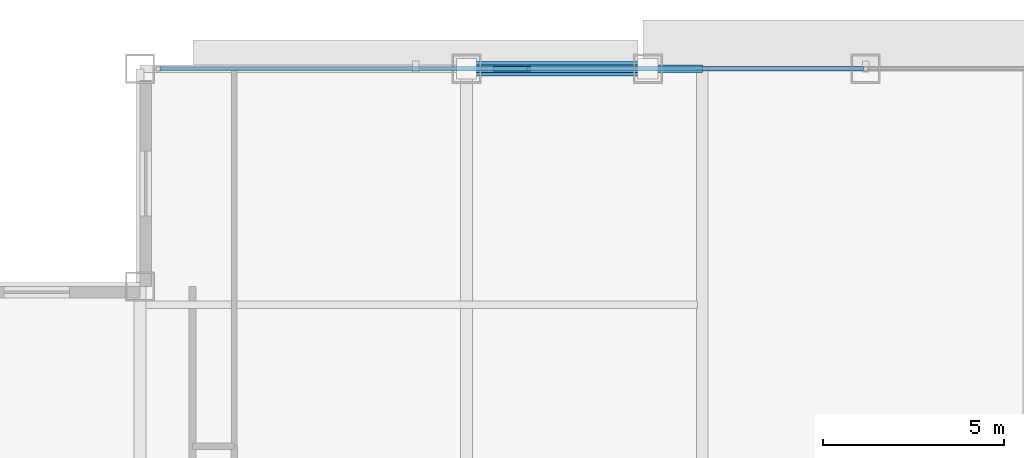
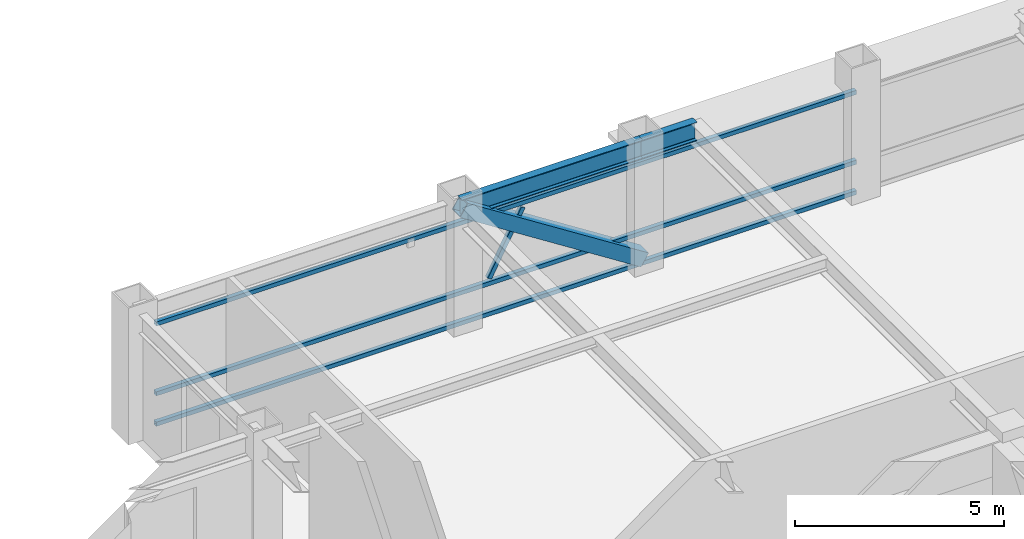
# One storey, part 17 of 32: 5 members, 2 beams, 1 element without a shape of its own.
"""IFC4 building model written with IfcOpenShell, lengths in metres."""

from ifc_helpers import new_model, si_unit, direction, frame, origin, origin_2d, place, context, subcontext, project, spatial, hollow_rectangle, i_section, extrude, source, transform, mapped, material, material_profile, profile_set, type_object, element, aggregate, save


model = new_model("IFC4")

# Units and contexts
model_context = context("Model", 3, precision=1e-05, world=origin(), true_north=direction((0.0, 1.0)))
body_context = subcontext(model_context, "Body", "Model", "MODEL_VIEW")
ifc_project = project(units=[si_unit("LENGTHUNIT", "METRE"), si_unit("AREAUNIT", "SQUARE_METRE"), si_unit("VOLUMEUNIT", "CUBIC_METRE"), si_unit("PLANEANGLEUNIT", "RADIAN"), si_unit("MASSUNIT", "GRAM", prefix="KILO")], contexts=[model_context])

# Site, building, storey
site_placement = place(None, origin())
site = spatial("IfcSite", under=ifc_project, at=site_placement, CompositionType="ELEMENT")
building_placement = place(site_placement, origin())
building = spatial("IfcBuilding", under=site, at=building_placement, Name="Khorayat Bourse Tower", CompositionType="ELEMENT")
storey_placement = place(building_placement, frame((0.0, 0.0, 342.300048828125)))
storey = spatial("IfcBuildingStorey", under=building, at=storey_placement, Name="L81", CompositionType="ELEMENT", Elevation=342.300048828125)

# Beams
ifc_material_1 = material(Name="Steel ASTM A992 Grade 50", Category="steel")
ifc_material_profile_1 = material_profile(ifc_material_1, i_section(OverallWidth=0.214111328125, OverallDepth=0.549072265625, WebThickness=0.0146484375, FlangeThickness=0.023681640625, FilletRadius=0.013916015625, at=origin_2d()), Name="W530X138")
ifc_profile_set_1 = profile_set([ifc_material_profile_1], Name="Steel ASTM A992 Grade 50")
beam_type = type_object("IfcBeamType", Name="BM-SPAN-530", PredefinedType="SPANDREL", material=ifc_profile_set_1)
shared_shape_1 = source(origin(), body_context, "Body", "SweptSolid", [
    extrude(i_section(OverallWidth=0.214111328125, OverallDepth=0.549072265625, WebThickness=0.0146484375, FlangeThickness=0.023681640625, FilletRadius=0.013916015625, at=origin_2d()), origin(), (0.0, 0.0, 1.0), 5.0),
])
beam_1_placement = place(storey_placement, frame((-11.0, 26.0, 3.425537109375), z_axis=(1.0, 0.0, 0.0), x_axis=(0.0, 1.0, 0.0)))
element("IfcBeam", 1, at=beam_1_placement, inside=storey, type_object=beam_type, Name="L81 BM-SPAN-530 BM-L81-SPN-041", PredefinedType="SPANDREL", context=body_context, shape_type="MappedRepresentation", body=[
    mapped(shared_shape_1, transform((0.0, 0.0, 0.0), scale=1.0)),
])
shared_shape_2 = source(origin(), body_context, "Body", "SweptSolid", [
    extrude(i_section(OverallWidth=0.214111328125, OverallDepth=0.549072265625, WebThickness=0.0146484375, FlangeThickness=0.023681640625, FilletRadius=0.013916015625, at=origin_2d()), origin(), (0.0, 0.0, 1.0), 1.5),
])
beam_2_placement = place(storey_placement, frame((-6.0, 26.0, 3.425537109375), z_axis=(1.0, 0.0, 0.0), x_axis=(0.0, 1.0, 0.0)))
element("IfcBeam", 2, at=beam_2_placement, inside=storey, type_object=beam_type, Name="L81 BM-SPAN-530 BM-L81-SPN-040", PredefinedType="SPANDREL", context=body_context, shape_type="MappedRepresentation", body=[
    mapped(shared_shape_2, transform((0.0, 0.0, 0.0), scale=1.0)),
])

# Member
ifc_material_2 = material(Name="Steel EN 10025-4 S460M", Category="steel")
ifc_material_profile_2 = material_profile(ifc_material_2, hollow_rectangle(XDim=0.39990234375, YDim=0.39990234375, WallThickness=0.02197265625, at=origin_2d()), Name="HSS 400x400x22")
ifc_profile_set_2 = profile_set([ifc_material_profile_2], Name="Steel EN 10025-4 S460M")
member_type_1 = type_object("IfcMemberType", Name="MBR-TUBE-400", PredefinedType="BRACE", material=ifc_profile_set_2)
shared_shape_3 = source(origin(), body_context, "Body", "SweptSolid", [
    extrude(hollow_rectangle(XDim=0.39990234375, YDim=0.39990234375, WallThickness=0.02197265625, at=origin_2d()), origin(), (0.0, 0.0, 1.0), 5.936279296875),
])
member_1_placement = place(storey_placement, frame((-11.0, 26.0, 3.449951171875), z_axis=(0.84227513519, 0.0, -0.539047861178), x_axis=(0.0, 1.0, 0.0)))
element("IfcMember", 3, at=member_1_placement, inside=storey, type_object=member_type_1, Name="L81 Perimeter Tube Brace 03", PredefinedType="BRACE", context=body_context, shape_type="MappedRepresentation", body=[
    mapped(shared_shape_3, transform((0.0, 0.0, 0.0), scale=1.0)),
])

# Curtain wall, members
ifc_material_3 = material(Name="Aluminium EN AW-6063 T6", Category="aluminium")
curtain_wall_type = type_object("IfcCurtainWallType", Name="CW-SYS-04", PredefinedType="NOTDEFINED", material=ifc_material_3)
curtain_wall_placement = place(storey_placement, origin())
curtain_wall = element("IfcCurtainWall", 4, at=curtain_wall_placement, inside=storey, type_object=curtain_wall_type, Name="L81 Curtain Wall CW-L81-N1", PredefinedType="NOTDEFINED")
ifc_material_profile_3 = material_profile(ifc_material_3, hollow_rectangle(XDim=0.1201171875, YDim=0.1201171875, WallThickness=0.0048828125, at=origin_2d()), Name="ALU 120x120x5")
ifc_profile_set_3 = profile_set([ifc_material_profile_3], Name="Aluminium EN AW-6063 T6")
member_type_2 = type_object("IfcMemberType", Name="CWT-HORZ-120", PredefinedType="USERDEFINED", material=ifc_profile_set_3)
shared_shape_4 = source(origin(), body_context, "Body", "SweptSolid", [
    extrude(hollow_rectangle(XDim=0.1201171875, YDim=0.1201171875, WallThickness=0.0048828125, at=origin_2d()), origin(), (0.0, 0.0, 1.0), 19.369873046875),
])
member_2_placement = place(storey_placement, frame((-19.429931640625, 26.0, 0.06005859375), z_axis=(1.0, 0.0, 0.0), x_axis=(0.0, 1.0, 0.0)))
member_2 = element("IfcMember", 5, at=member_2_placement, type_object=member_type_2, Name="CW-L81-N1 Horizontal Transom 1-1", ObjectType="TRANSOM", PredefinedType="USERDEFINED", context=body_context, shape_type="MappedRepresentation", body=[
    mapped(shared_shape_4, transform((0.0, 0.0, 0.0), scale=1.0)),
])
member_3_placement = place(storey_placement, frame((-19.429931640625, 26.0, 0.949951171875), z_axis=(1.0, 0.0, 0.0), x_axis=(0.0, 1.0, 0.0)))
member_3 = element("IfcMember", 6, at=member_3_placement, type_object=member_type_2, Name="CW-L81-N1 Horizontal Transom 1-2", ObjectType="TRANSOM", PredefinedType="USERDEFINED", context=body_context, shape_type="MappedRepresentation", body=[
    mapped(shared_shape_4, transform((0.0, 0.0, 0.0), scale=1.0)),
])
member_4_placement = place(storey_placement, frame((-19.429931640625, 26.0, 2.989990234375), z_axis=(1.0, 0.0, 0.0), x_axis=(0.0, 1.0, 0.0)))
member_4 = element("IfcMember", 7, at=member_4_placement, type_object=member_type_2, Name="CW-L81-N1 Horizontal Transom 1-3", ObjectType="TRANSOM", PredefinedType="USERDEFINED", context=body_context, shape_type="MappedRepresentation", body=[
    mapped(shared_shape_4, transform((0.0, 0.0, 0.0), scale=1.0)),
])
ifc_material_profile_4 = material_profile(ifc_material_3, hollow_rectangle(XDim=0.1201171875, YDim=0.1201171875, WallThickness=0.0048828125, at=origin_2d()), Name="ALU 120x120x5")
ifc_profile_set_4 = profile_set([ifc_material_profile_4], Name="Aluminium EN AW-6063 T6")
member_type_3 = type_object("IfcMemberType", Name="CWM-DIAG-120", PredefinedType="MULLION", material=ifc_profile_set_4)
shared_shape_5 = source(origin(), body_context, "Body", "SweptSolid", [
    extrude(hollow_rectangle(XDim=0.1201171875, YDim=0.1201171875, WallThickness=0.0048828125, at=origin_2d()), origin(), (0.0, 0.0, 1.0), 1.989013671875),
])
member_5_placement = place(storey_placement, frame((-10.208251953125, 26.0, 1.08984375), z_axis=(0.46582231551, 0.0, 0.884878279976), x_axis=(0.0, 1.0, 0.0)))
member_5 = element("IfcMember", 8, at=member_5_placement, type_object=member_type_3, Name="CW-L81-N1 Faceted Diagonal Mullion 1", PredefinedType="MULLION", context=body_context, shape_type="MappedRepresentation", body=[
    mapped(shared_shape_5, transform((0.0, 0.0, 0.0), scale=1.0)),
])
aggregate(curtain_wall, [member_2, member_3, member_4, member_5])

save(model, "model.ifc")
